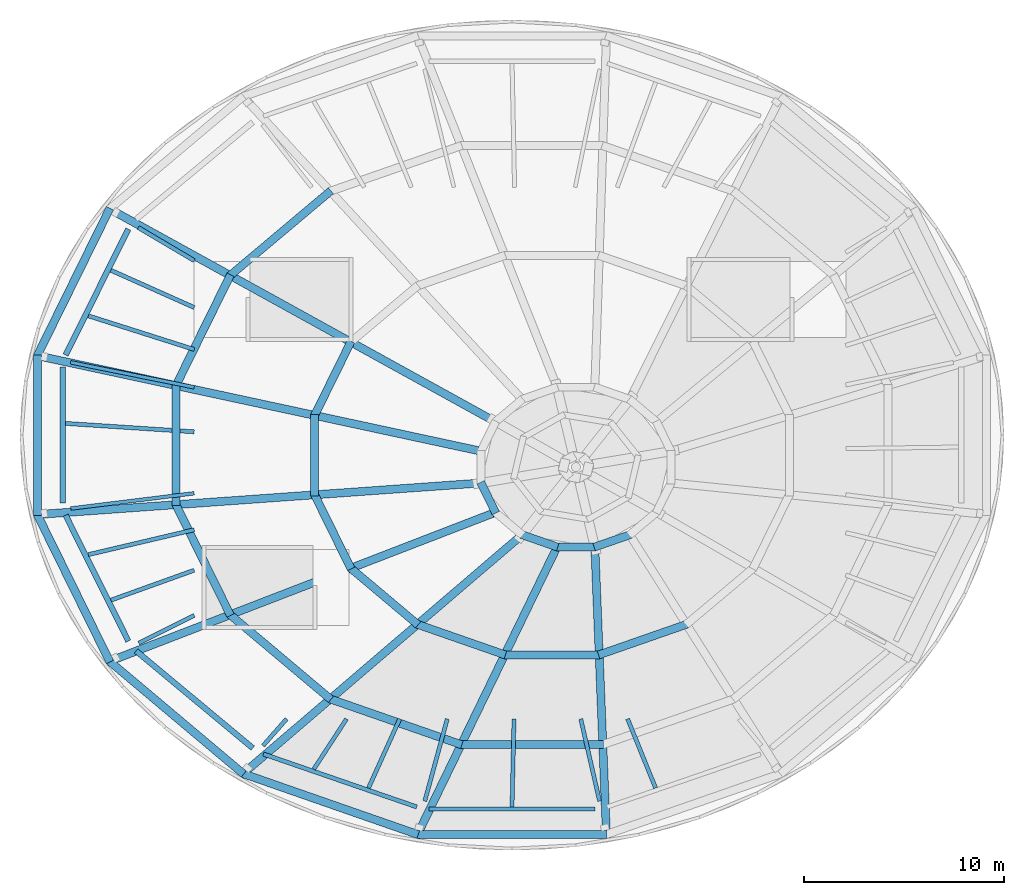
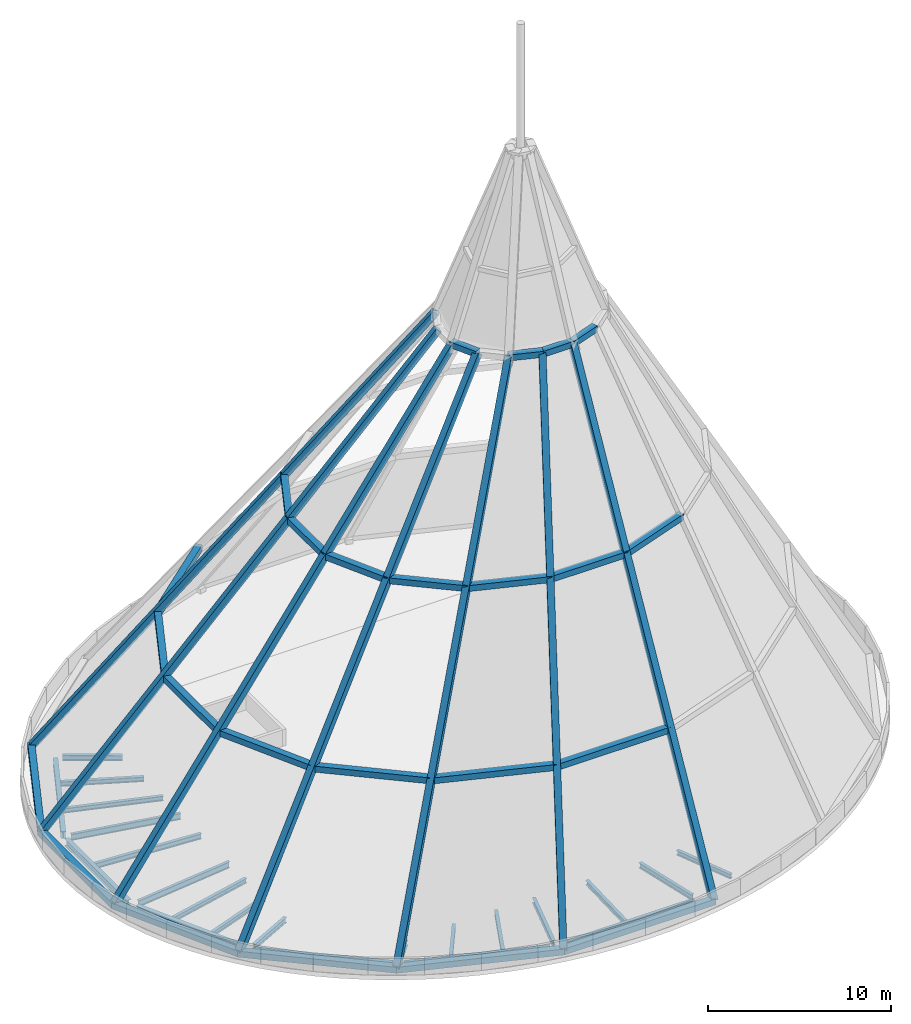
# One storey, part 1 of 7: 31 members, 22 beams, 8 elements without a shape of their own.
"""IFC4 building model written with IfcOpenShell, lengths in metres."""

from ifc_helpers import new_model, si_unit, direction, frame, origin, origin_2d, place, context, subcontext, project, spatial, rectangle, i_section, extrude, material, material_profile, profile_set, type_object, element, aggregate, save


model = new_model("IFC4")

# Units and contexts
model_context = context("Model", 3, precision=1e-05, world=origin(), true_north=direction((0.0, 1.0)))
body_context = subcontext(model_context, "Body", "Model", "MODEL_VIEW")
ifc_project = project(units=[si_unit("LENGTHUNIT", "METRE"), si_unit("AREAUNIT", "SQUARE_METRE"), si_unit("VOLUMEUNIT", "CUBIC_METRE"), si_unit("PLANEANGLEUNIT", "RADIAN"), si_unit("MASSUNIT", "GRAM", prefix="KILO")], contexts=[model_context])

# Site, building, storey
site_placement = place(None, origin())
site = spatial("IfcSite", under=ifc_project, at=site_placement, CompositionType="ELEMENT")
building_placement = place(site_placement, origin())
building = spatial("IfcBuilding", under=site, at=building_placement, Name="Marenthal Gate Tower", CompositionType="ELEMENT")
storey_placement = place(building_placement, frame((0.0, 0.0, 423.550048828125)))
storey = spatial("IfcBuildingStorey", under=building, at=storey_placement, Name="RF", CompositionType="ELEMENT", Elevation=423.550048828125)

# Curtain wall, member
ifc_material_1 = material(Name="Aluminium and glass", Category="aluminium")
curtain_wall_type = type_object("IfcCurtainWallType", Name="Curtain wall crown facet", PredefinedType="NOTDEFINED", material=ifc_material_1)
curtain_wall_1_placement = place(storey_placement, origin())
curtain_wall_1 = element("IfcCurtainWall", 1, at=curtain_wall_1_placement, inside=storey, type_object=curtain_wall_type, Name="Crown facet 7", PredefinedType="NOTDEFINED")
ifc_material_2 = material(Name="Steel S355", Category="steel")
ifc_material_profile_1 = material_profile(ifc_material_2, rectangle(XDim=0.39990234375, YDim=0.39990234375, at=origin_2d()), Name="Crown frame hip 400x400")
ifc_profile_set_1 = profile_set([ifc_material_profile_1], Name="Steel S355")
member_type_1 = type_object("IfcMemberType", Name="CROWN FRAME hip 400x400", PredefinedType="MULLION", material=ifc_profile_set_1)
member_1_placement = place(storey_placement, frame((-20.533935546875, 12.21630859375, 0.199951171875), z_axis=(0.534616626001, -0.294984907761, 0.791940002397), x_axis=(0.483107489159, 0.875561050937, 0.0)))
member_1 = element("IfcMember", 2, at=member_1_placement, type_object=member_type_1, Name="Crown frame hip 7", PredefinedType="MULLION", context=body_context, shape_type="SweptSolid", body=[
    extrude(rectangle(XDim=0.39990234375, YDim=0.39990234375, at=origin_2d()), origin(), (0.0, 0.0, 1.0), 36.114013671875),
])

curtain_wall_2_placement = place(storey_placement, origin())
curtain_wall_2 = element("IfcCurtainWall", 3, at=curtain_wall_2_placement, inside=storey, type_object=curtain_wall_type, Name="Crown facet 8", PredefinedType="NOTDEFINED")
member_2_placement = place(storey_placement, frame((-24.149658203125, 4.873779296875, 0.199951171875), z_axis=(0.607895952509, -0.130865097002, 0.783158245382), x_axis=(0.210454119873, 0.97760373538, 0.0)))
member_2 = element("IfcMember", 4, at=member_2_placement, type_object=member_type_1, Name="Crown frame hip 8", PredefinedType="MULLION", context=body_context, shape_type="SweptSolid", body=[
    extrude(rectangle(XDim=0.39990234375, YDim=0.39990234375, at=origin_2d()), origin(), (0.0, 0.0, 1.0), 36.51904296875),
])

curtain_wall_3_placement = place(storey_placement, origin())
curtain_wall_3 = element("IfcCurtainWall", 5, at=curtain_wall_3_placement, inside=storey, type_object=curtain_wall_type, Name="Crown facet 9", PredefinedType="NOTDEFINED")
member_3_placement = place(storey_placement, frame((-24.149658203125, -3.07373046875, 0.199951171875), z_axis=(0.612586878645, 0.043567572245, 0.789201610972), x_axis=(-0.070941452455, 0.997480481174, 0.0)))
member_3 = element("IfcMember", 6, at=member_3_placement, type_object=member_type_1, Name="Crown frame hip 9", PredefinedType="MULLION", context=body_context, shape_type="SweptSolid", body=[
    extrude(rectangle(XDim=0.39990234375, YDim=0.39990234375, at=origin_2d()), origin(), (0.0, 0.0, 1.0), 36.2392578125),
])

curtain_wall_4_placement = place(storey_placement, origin())
curtain_wall_4 = element("IfcCurtainWall", 7, at=curtain_wall_4_placement, inside=storey, type_object=curtain_wall_type, Name="Crown facet 10", PredefinedType="NOTDEFINED")
member_4_placement = place(storey_placement, frame((-20.533935546875, -10.41650390625, 0.199951171875), z_axis=(0.546902493503, 0.21112060041, 0.810139342757), x_axis=(-0.360128190178, 0.93290282808, 0.0)))
member_4 = element("IfcMember", 8, at=member_4_placement, type_object=member_type_1, Name="Crown frame hip 10", PredefinedType="MULLION", context=body_context, shape_type="SweptSolid", body=[
    extrude(rectangle(XDim=0.39990234375, YDim=0.39990234375, at=origin_2d()), origin(), (0.0, 0.0, 1.0), 35.302734375),
])

curtain_wall_5_placement = place(storey_placement, origin())
curtain_wall_5 = element("IfcCurtainWall", 9, at=curtain_wall_5_placement, inside=storey, type_object=curtain_wall_type, Name="Crown facet 11", PredefinedType="NOTDEFINED")
member_5_placement = place(storey_placement, frame((-13.85302734375, -16.0361328125, 0.199951171875), z_axis=(0.410713564463, 0.351487217792, 0.841291331047), x_axis=(-0.650201485152, 0.75976182367, 0.0)))
member_5 = element("IfcMember", 10, at=member_5_placement, type_object=member_type_1, Name="Crown frame hip 11", PredefinedType="MULLION", context=body_context, shape_type="SweptSolid", body=[
    extrude(rectangle(XDim=0.39990234375, YDim=0.39990234375, at=origin_2d()), origin(), (0.0, 0.0, 1.0), 33.995361328125),
])

curtain_wall_6_placement = place(storey_placement, origin())
curtain_wall_6 = element("IfcCurtainWall", 11, at=curtain_wall_6_placement, inside=storey, type_object=curtain_wall_type, Name="Crown facet 12", PredefinedType="NOTDEFINED")
member_6_placement = place(storey_placement, frame((-5.1240234375, -19.07763671875, 0.199951171875), z_axis=(0.213011779792, 0.438951654101, 0.872896000124), x_axis=(-0.899663808222, 0.43658336223, 0.0)))
member_6 = element("IfcMember", 12, at=member_6_placement, type_object=member_type_1, Name="Crown frame hip 12", PredefinedType="MULLION", context=body_context, shape_type="SweptSolid", body=[
    extrude(rectangle(XDim=0.39990234375, YDim=0.39990234375, at=origin_2d()), origin(), (0.0, 0.0, 1.0), 32.7646484375),
])

curtain_wall_7_placement = place(storey_placement, origin())
curtain_wall_7 = element("IfcCurtainWall", 13, at=curtain_wall_7_placement, inside=storey, type_object=curtain_wall_type, Name="Crown facet 13", PredefinedType="NOTDEFINED")
member_7_placement = place(storey_placement, frame((4.32421875, -19.07763671875, 0.199951171875), z_axis=(-0.018094435759, 0.449188839508, 0.893253591012), x_axis=(-0.999189647395, -0.040249826568, 0.0)))
member_7 = element("IfcMember", 14, at=member_7_placement, type_object=member_type_1, Name="Crown frame hip 13", PredefinedType="MULLION", context=body_context, shape_type="SweptSolid", body=[
    extrude(rectangle(XDim=0.39990234375, YDim=0.39990234375, at=origin_2d()), origin(), (0.0, 0.0, 1.0), 32.017822265625),
])

curtain_wall_8_placement = place(storey_placement, origin())
curtain_wall_8 = element("IfcCurtainWall", 15, at=curtain_wall_8_placement, inside=storey, type_object=curtain_wall_type, Name="Crown facet 6", PredefinedType="NOTDEFINED")
ifc_material_3 = material(Name="Steel S355", Category="steel")
ifc_material_profile_2 = material_profile(ifc_material_3, rectangle(XDim=0.39990234375, YDim=0.39990234375, at=origin_2d()), Name="Crown frame ring 400x400")
ifc_profile_set_2 = profile_set([ifc_material_profile_2], Name="Steel S355")
member_type_2 = type_object("IfcMemberType", Name="CROWN FRAME ring 400x400", PredefinedType="USERDEFINED", material=ifc_profile_set_2)
member_8_placement = place(storey_placement, frame((-9.461669921875, 13.125732421875, 9.0), z_axis=(-0.765280822969, -0.643696560497, 0.0), x_axis=(0.643696560497, -0.765280822969, 0.0)))
member_8 = element("IfcMember", 16, at=member_8_placement, type_object=member_type_2, Name="Crown frame ring 6.1", ObjectType="TRANSOM", PredefinedType="USERDEFINED", context=body_context, shape_type="SweptSolid", body=[
    extrude(rectangle(XDim=0.39990234375, YDim=0.39990234375, at=origin_2d()), origin(), (0.0, 0.0, 1.0), 6.62646484375),
])
aggregate(curtain_wall_8, [member_8])

# Member
member_9_placement = place(storey_placement, frame((-20.515380859375, 12.254150390625, 0.199951171875), z_axis=(-0.441763687273, -0.897131453359, 0.0), x_axis=(0.897131453359, -0.441763687273, 0.0)))
member_9 = element("IfcMember", 17, at=member_9_placement, type_object=member_type_2, Name="Crown frame base ring beam 7", ObjectType="TRANSOM", PredefinedType="USERDEFINED", context=body_context, shape_type="SweptSolid", body=[
    extrude(rectangle(XDim=0.39990234375, YDim=0.39990234375, at=origin_2d()), origin(), (0.0, 0.0, 1.0), 8.273193359375),
])

member_10_placement = place(storey_placement, frame((-14.48193359375, 8.925048828125, 9.0), z_axis=(-0.441779181949, -0.897123823336, 0.0), x_axis=(0.897123823336, -0.441779181949, 0.0)))
member_10 = element("IfcMember", 18, at=member_10_placement, type_object=member_type_2, Name="Crown frame ring 7.1", ObjectType="TRANSOM", PredefinedType="USERDEFINED", context=body_context, shape_type="SweptSolid", body=[
    extrude(rectangle(XDim=0.39990234375, YDim=0.39990234375, at=origin_2d()), origin(), (0.0, 0.0, 1.0), 6.22705078125),
])

member_11_placement = place(storey_placement, frame((-8.448486328125, 5.595947265625, 18.0), z_axis=(-0.441762844713, -0.897131868251, 0.0), x_axis=(0.897131868251, -0.441762844713, 0.0)))
member_11 = element("IfcMember", 19, at=member_11_placement, type_object=member_type_2, Name="Crown frame ring 7.2", ObjectType="TRANSOM", PredefinedType="USERDEFINED", context=body_context, shape_type="SweptSolid", body=[
    extrude(rectangle(XDim=0.39990234375, YDim=0.39990234375, at=origin_2d()), origin(), (0.0, 0.0, 1.0), 4.180908203125),
])

aggregate(curtain_wall_1, [member_1, member_9, member_10, member_11])

member_12_placement = place(storey_placement, frame((-24.149658203125, 4.92041015625, 0.199951171875), z_axis=(0.0, -1.0, 0.0), x_axis=(1.0, 0.0, 0.0)))
member_12 = element("IfcMember", 20, at=member_12_placement, type_object=member_type_2, Name="Crown frame base ring beam 8", ObjectType="TRANSOM", PredefinedType="USERDEFINED", context=body_context, shape_type="SweptSolid", body=[
    extrude(rectangle(XDim=0.39990234375, YDim=0.39990234375, at=origin_2d()), origin(), (0.0, 0.0, 1.0), 8.040771484375),
])

member_13_placement = place(storey_placement, frame((-17.212158203125, 3.427001953125, 9.0), z_axis=(0.0, -1.0, 0.0), x_axis=(1.0, 0.0, 0.0)))
member_13 = element("IfcMember", 21, at=member_13_placement, type_object=member_type_2, Name="Crown frame ring 8.1", ObjectType="TRANSOM", PredefinedType="USERDEFINED", context=body_context, shape_type="SweptSolid", body=[
    extrude(rectangle(XDim=0.39990234375, YDim=0.39990234375, at=origin_2d()), origin(), (0.0, 0.0, 1.0), 6.053955078125),
])

member_14_placement = place(storey_placement, frame((-10.27490234375, 1.93359375, 18.0), z_axis=(0.0, -1.0, 0.0), x_axis=(1.0, 0.0, 0.0)))
member_14 = element("IfcMember", 22, at=member_14_placement, type_object=member_type_2, Name="Crown frame ring 8.2", ObjectType="TRANSOM", PredefinedType="USERDEFINED", context=body_context, shape_type="SweptSolid", body=[
    extrude(rectangle(XDim=0.39990234375, YDim=0.39990234375, at=origin_2d()), origin(), (0.0, 0.0, 1.0), 4.067138671875),
])

aggregate(curtain_wall_2, [member_2, member_12, member_13, member_14])

member_15_placement = place(storey_placement, frame((-24.170166015625, -3.031982421875, 0.199951171875), z_axis=(0.441763687273, -0.897131453359, 0.0), x_axis=(0.897131453359, 0.441763687273, 0.0)))
member_15 = element("IfcMember", 23, at=member_15_placement, type_object=member_type_2, Name="Crown frame base ring beam 9", ObjectType="TRANSOM", PredefinedType="USERDEFINED", context=body_context, shape_type="SweptSolid", body=[
    extrude(rectangle(XDim=0.39990234375, YDim=0.39990234375, at=origin_2d()), origin(), (0.0, 0.0, 1.0), 8.273193359375),
])

member_16_placement = place(storey_placement, frame((-17.23291015625, -2.53857421875, 9.0), z_axis=(0.441779181949, -0.897123823336, 0.0), x_axis=(0.897123823336, 0.441779181949, 0.0)))
member_16 = element("IfcMember", 24, at=member_16_placement, type_object=member_type_2, Name="Crown frame ring 9.1", ObjectType="TRANSOM", PredefinedType="USERDEFINED", context=body_context, shape_type="SweptSolid", body=[
    extrude(rectangle(XDim=0.39990234375, YDim=0.39990234375, at=origin_2d()), origin(), (0.0, 0.0, 1.0), 6.22705078125),
])

member_17_placement = place(storey_placement, frame((-10.29541015625, -2.045166015625, 18.0), z_axis=(0.441762844713, -0.897131868251, 0.0), x_axis=(0.897131868251, 0.441762844713, 0.0)))
member_17 = element("IfcMember", 25, at=member_17_placement, type_object=member_type_2, Name="Crown frame ring 9.2", ObjectType="TRANSOM", PredefinedType="USERDEFINED", context=body_context, shape_type="SweptSolid", body=[
    extrude(rectangle(XDim=0.39990234375, YDim=0.39990234375, at=origin_2d()), origin(), (0.0, 0.0, 1.0), 4.180908203125),
])

member_18_placement = place(storey_placement, frame((-1.970458984375, -1.452880859375, 28.800048828125), z_axis=(0.441715561761, -0.897155149625, 0.0), x_axis=(0.897155149625, 0.441715561761, 0.0)))
member_18 = element("IfcMember", 26, at=member_18_placement, type_object=member_type_2, Name="Crown frame ring 9.3", ObjectType="TRANSOM", PredefinedType="USERDEFINED", context=body_context, shape_type="SweptSolid", body=[
    extrude(rectangle(XDim=0.39990234375, YDim=0.39990234375, at=origin_2d()), origin(), (0.0, 0.0, 1.0), 1.7255859375),
])

aggregate(curtain_wall_3, [member_3, member_15, member_16, member_17, member_18])

member_19_placement = place(storey_placement, frame((-20.566162109375, -10.389404296875, 0.199951171875), z_axis=(0.765268995459, -0.643710621778, 0.0), x_axis=(0.643710621778, 0.765268995459, 0.0)))
member_19 = element("IfcMember", 27, at=member_19_placement, type_object=member_type_2, Name="Crown frame base ring beam 10", ObjectType="TRANSOM", PredefinedType="USERDEFINED", context=body_context, shape_type="SweptSolid", body=[
    extrude(rectangle(XDim=0.39990234375, YDim=0.39990234375, at=origin_2d()), origin(), (0.0, 0.0, 1.0), 8.808837890625),
])

member_20_placement = place(storey_placement, frame((-14.53271484375, -8.060302734375, 9.0), z_axis=(0.765262673563, -0.643718137426, 0.0), x_axis=(0.643718137426, 0.765262673563, 0.0)))
member_20 = element("IfcMember", 28, at=member_20_placement, type_object=member_type_2, Name="Crown frame ring 10.1", ObjectType="TRANSOM", PredefinedType="USERDEFINED", context=body_context, shape_type="SweptSolid", body=[
    extrude(rectangle(XDim=0.39990234375, YDim=0.39990234375, at=origin_2d()), origin(), (0.0, 0.0, 1.0), 6.62646484375),
])

member_21_placement = place(storey_placement, frame((-8.4990234375, -5.731201171875, 18.0), z_axis=(0.765254440025, -0.643727925463, 0.0), x_axis=(0.643727925463, 0.765254440025, 0.0)))
member_21 = element("IfcMember", 29, at=member_21_placement, type_object=member_type_2, Name="Crown frame ring 10.2", ObjectType="TRANSOM", PredefinedType="USERDEFINED", context=body_context, shape_type="SweptSolid", body=[
    extrude(rectangle(XDim=0.39990234375, YDim=0.39990234375, at=origin_2d()), origin(), (0.0, 0.0, 1.0), 4.44384765625),
])

aggregate(curtain_wall_4, [member_4, member_19, member_20, member_21])

member_22_placement = place(storey_placement, frame((-13.887939453125, -16.024169921875, 0.199951171875), z_axis=(0.944329773093, -0.329000424999, 0.0), x_axis=(0.329000424999, 0.944329773093, 0.0)))
member_22 = element("IfcMember", 30, at=member_22_placement, type_object=member_type_2, Name="Crown frame base ring beam 11", ObjectType="TRANSOM", PredefinedType="USERDEFINED", context=body_context, shape_type="SweptSolid", body=[
    extrude(rectangle(XDim=0.39990234375, YDim=0.39990234375, at=origin_2d()), origin(), (0.0, 0.0, 1.0), 9.314453125),
])

member_23_placement = place(storey_placement, frame((-9.524658203125, -12.2900390625, 9.0), z_axis=(0.944326425407, -0.329010033703, 0.0), x_axis=(0.329010033703, 0.944326425407, 0.0)))
member_23 = element("IfcMember", 31, at=member_23_placement, type_object=member_type_2, Name="Crown frame ring 11.1", ObjectType="TRANSOM", PredefinedType="USERDEFINED", context=body_context, shape_type="SweptSolid", body=[
    extrude(rectangle(XDim=0.39990234375, YDim=0.39990234375, at=origin_2d()), origin(), (0.0, 0.0, 1.0), 7.00341796875),
])

member_24_placement = place(storey_placement, frame((-5.161376953125, -8.555908203125, 18.0), z_axis=(0.944325412198, -0.329012941807, 0.0), x_axis=(0.329012941807, 0.944325412198, 0.0)))
member_24 = element("IfcMember", 32, at=member_24_placement, type_object=member_type_2, Name="Crown frame ring 11.2", ObjectType="TRANSOM", PredefinedType="USERDEFINED", context=body_context, shape_type="SweptSolid", body=[
    extrude(rectangle(XDim=0.39990234375, YDim=0.39990234375, at=origin_2d()), origin(), (0.0, 0.0, 1.0), 4.692626953125),
])

member_25_placement = place(storey_placement, frame((0.07470703125, -4.0751953125, 28.800048828125), z_axis=(0.944349121113, -0.328944885129, 0.0), x_axis=(0.328944885129, 0.944349121113, 0.0)))
member_25 = element("IfcMember", 33, at=member_25_placement, type_object=member_type_2, Name="Crown frame ring 11.3", ObjectType="TRANSOM", PredefinedType="USERDEFINED", context=body_context, shape_type="SweptSolid", body=[
    extrude(rectangle(XDim=0.39990234375, YDim=0.39990234375, at=origin_2d()), origin(), (0.0, 0.0, 1.0), 1.919189453125),
])

aggregate(curtain_wall_5, [member_5, member_22, member_23, member_24, member_25])

member_26_placement = place(storey_placement, frame((-5.157958984375, -19.07763671875, 0.199951171875), z_axis=(1.0, 0.0, 0.0), x_axis=(0.0, 1.0, 0.0)))
member_26 = element("IfcMember", 34, at=member_26_placement, type_object=member_type_2, Name="Crown frame base ring beam 12", ObjectType="TRANSOM", PredefinedType="USERDEFINED", context=body_context, shape_type="SweptSolid", body=[
    extrude(rectangle(XDim=0.39990234375, YDim=0.39990234375, at=origin_2d()), origin(), (0.0, 0.0, 1.0), 9.515869140625),
])

member_27_placement = place(storey_placement, frame((-2.976806640625, -14.583251953125, 9.0), z_axis=(1.0, 0.0, 0.0), x_axis=(0.0, 1.0, 0.0)))
member_27 = element("IfcMember", 35, at=member_27_placement, type_object=member_type_2, Name="Crown frame ring 12.1", ObjectType="TRANSOM", PredefinedType="USERDEFINED", context=body_context, shape_type="SweptSolid", body=[
    extrude(rectangle(XDim=0.39990234375, YDim=0.39990234375, at=origin_2d()), origin(), (0.0, 0.0, 1.0), 7.15380859375),
])

member_28_placement = place(storey_placement, frame((-0.7958984375, -10.0888671875, 18.0), z_axis=(1.0, 0.0, 0.0), x_axis=(0.0, 1.0, 0.0)))
member_28 = element("IfcMember", 36, at=member_28_placement, type_object=member_type_2, Name="Crown frame ring 12.2", ObjectType="TRANSOM", PredefinedType="USERDEFINED", context=body_context, shape_type="SweptSolid", body=[
    extrude(rectangle(XDim=0.39990234375, YDim=0.39990234375, at=origin_2d()), origin(), (0.0, 0.0, 1.0), 4.791748046875),
])

member_29_placement = place(storey_placement, frame((1.8212890625, -4.695556640625, 28.800048828125), z_axis=(1.0, 0.0, 0.0), x_axis=(0.0, 1.0, 0.0)))
member_29 = element("IfcMember", 37, at=member_29_placement, type_object=member_type_2, Name="Crown frame ring 12.3", ObjectType="TRANSOM", PredefinedType="USERDEFINED", context=body_context, shape_type="SweptSolid", body=[
    extrude(rectangle(XDim=0.39990234375, YDim=0.39990234375, at=origin_2d()), origin(), (0.0, 0.0, 1.0), 1.957275390625),
])

aggregate(curtain_wall_6, [member_6, member_26, member_27, member_28, member_29])

member_30_placement = place(storey_placement, frame((3.93017578125, -10.099853515625, 18.0), z_axis=(0.944319779985, 0.329029106811, 0.0), x_axis=(-0.329029106811, 0.944319779985, 0.0)))
member_30 = element("IfcMember", 38, at=member_30_placement, type_object=member_type_2, Name="Crown frame ring 13.2", ObjectType="TRANSOM", PredefinedType="USERDEFINED", context=body_context, shape_type="SweptSolid", body=[
    extrude(rectangle(XDim=0.39990234375, YDim=0.39990234375, at=origin_2d()), origin(), (0.0, 0.0, 1.0), 4.6923828125),
])

member_31_placement = place(storey_placement, frame((3.712890625, -4.70654296875, 28.800048828125), z_axis=(0.944349121113, 0.328944885129, 0.0), x_axis=(-0.328944885129, 0.944349121113, 0.0)))
member_31 = element("IfcMember", 39, at=member_31_placement, type_object=member_type_2, Name="Crown frame ring 13.3", ObjectType="TRANSOM", PredefinedType="USERDEFINED", context=body_context, shape_type="SweptSolid", body=[
    extrude(rectangle(XDim=0.39990234375, YDim=0.39990234375, at=origin_2d()), origin(), (0.0, 0.0, 1.0), 1.919189453125),
])

aggregate(curtain_wall_7, [member_7, member_30, member_31])

# Beams
ifc_material_4 = material(Name="Steel S355", Category="steel")
ifc_material_profile_3 = material_profile(ifc_material_4, i_section(OverallWidth=0.205078125, OverallDepth=0.31005859375, WebThickness=0.009521484375, FlangeThickness=0.016357421875, FilletRadius=0.0126953125, at=origin_2d()), Name="W310X74")
ifc_profile_set_3 = profile_set([ifc_material_profile_3], Name="Steel S355")
beam_type_1 = type_object("IfcBeamType", Name="W310X74 beam", PredefinedType="BEAM", material=ifc_profile_set_3)
beam_1_placement = place(storey_placement, frame((-20.46630859375, 9.14599609375, -0.455078125), z_axis=(0.912984542978, -0.407994147363, 0.0), x_axis=(0.407994147363, 0.912984542978, 0.0)))
element("IfcBeam", 40, at=beam_1_placement, inside=storey, type_object=beam_type_1, Name="BM-RF-24", PredefinedType="BEAM", context=body_context, shape_type="SweptSolid", body=[
    extrude(i_section(OverallWidth=0.205078125, OverallDepth=0.31005859375, WebThickness=0.009521484375, FlangeThickness=0.016357421875, FilletRadius=0.0126953125, at=origin_2d()), origin(), (0.0, 0.0, 1.0), 4.563232421875),
])
beam_2_placement = place(storey_placement, frame((-21.599609375, 6.868896484375, -0.455078125), z_axis=(0.952973623439, -0.303053251145, 0.0), x_axis=(0.303053251145, 0.952973623439, 0.0)))
element("IfcBeam", 41, at=beam_2_placement, inside=storey, type_object=beam_type_1, Name="BM-RF-25", PredefinedType="BEAM", context=body_context, shape_type="SweptSolid", body=[
    extrude(i_section(OverallWidth=0.205078125, OverallDepth=0.31005859375, WebThickness=0.009521484375, FlangeThickness=0.016357421875, FilletRadius=0.0126953125, at=origin_2d()), origin(), (0.0, 0.0, 1.0), 5.56103515625),
])
beam_3_placement = place(storey_placement, frame((-21.5947265625, -5.07861328125, -0.455078125), z_axis=(0.97344541711, 0.228919243199, 0.0), x_axis=(-0.228919243199, 0.97344541711, 0.0)))
element("IfcBeam", 42, at=beam_3_placement, inside=storey, type_object=beam_type_1, Name="BM-RF-27", PredefinedType="BEAM", context=body_context, shape_type="SweptSolid", body=[
    extrude(i_section(OverallWidth=0.205078125, OverallDepth=0.31005859375, WebThickness=0.009521484375, FlangeThickness=0.016357421875, FilletRadius=0.0126953125, at=origin_2d()), origin(), (0.0, 0.0, 1.0), 5.439208984375),
])
beam_4_placement = place(storey_placement, frame((-20.46142578125, -7.35546875, -0.455078125), z_axis=(0.941031604102, 0.338318666468, 0.0), x_axis=(-0.338318666468, 0.941031604102, 0.0)))
element("IfcBeam", 43, at=beam_4_placement, inside=storey, type_object=beam_type_1, Name="BM-RF-28", PredefinedType="BEAM", context=body_context, shape_type="SweptSolid", body=[
    extrude(i_section(OverallWidth=0.205078125, OverallDepth=0.31005859375, WebThickness=0.009521484375, FlangeThickness=0.016357421875, FilletRadius=0.0126953125, at=origin_2d()), origin(), (0.0, 0.0, 1.0), 4.422119140625),
])
beam_5_placement = place(storey_placement, frame((-10.317626953125, -15.812744140625, -0.455078125), z_axis=(0.546486189649, 0.837468115526, 0.0), x_axis=(-0.837468115526, 0.546486189649, 0.0)))
element("IfcBeam", 44, at=beam_5_placement, inside=storey, type_object=beam_type_1, Name="BM-RF-29", PredefinedType="BEAM", context=body_context, shape_type="SweptSolid", body=[
    extrude(i_section(OverallWidth=0.205078125, OverallDepth=0.31005859375, WebThickness=0.009521484375, FlangeThickness=0.016357421875, FilletRadius=0.0126953125, at=origin_2d()), origin(), (0.0, 0.0, 1.0), 3.000244140625),
])
beam_6_placement = place(storey_placement, frame((-7.580078125, -16.756591796875, -0.455078125), z_axis=(0.412124623334, 0.911127485504, 0.0), x_axis=(-0.911127485504, 0.412124623334, 0.0)))
element("IfcBeam", 45, at=beam_6_placement, inside=storey, type_object=beam_type_1, Name="BM-RF-30", PredefinedType="BEAM", context=body_context, shape_type="SweptSolid", body=[
    extrude(i_section(OverallWidth=0.205078125, OverallDepth=0.31005859375, WebThickness=0.009521484375, FlangeThickness=0.016357421875, FilletRadius=0.0126953125, at=origin_2d()), origin(), (0.0, 0.0, 1.0), 3.793701171875),
])
beam_7_placement = place(storey_placement, frame((-0.397705078125, -17.696533203125, -0.455078125), z_axis=(0.022484318874, 0.999747195747, 0.0), x_axis=(-0.999747195747, 0.022484318874, 0.0)))
element("IfcBeam", 46, at=beam_7_placement, inside=storey, type_object=beam_type_1, Name="BM-RF-31", PredefinedType="BEAM", context=body_context, shape_type="SweptSolid", body=[
    extrude(i_section(OverallWidth=0.205078125, OverallDepth=0.31005859375, WebThickness=0.009521484375, FlangeThickness=0.016357421875, FilletRadius=0.0126953125, at=origin_2d()), origin(), (0.0, 0.0, 1.0), 4.397705078125),
])
beam_8_placement = place(storey_placement, frame((6.7841796875, -16.755126953125, -0.455078125), z_axis=(-0.37529458919, 0.926905589218, 0.0), x_axis=(-0.926905589218, -0.37529458919, 0.0)))
element("IfcBeam", 47, at=beam_8_placement, inside=storey, type_object=beam_type_1, Name="BM-RF-32", PredefinedType="BEAM", context=body_context, shape_type="SweptSolid", body=[
    extrude(i_section(OverallWidth=0.205078125, OverallDepth=0.31005859375, WebThickness=0.009521484375, FlangeThickness=0.016357421875, FilletRadius=0.0126953125, at=origin_2d()), origin(), (0.0, 0.0, 1.0), 3.7275390625),
])
ifc_material_5 = material(Name="Steel S355", Category="steel")
ifc_material_profile_4 = material_profile(ifc_material_5, i_section(OverallWidth=0.205078125, OverallDepth=0.35302734375, WebThickness=0.009521484375, FlangeThickness=0.016845703125, FilletRadius=0.014892578125, at=origin_2d()), Name="W360X79")
ifc_profile_set_4 = profile_set([ifc_material_profile_4], Name="Steel S355")
beam_type_2 = type_object("IfcBeamType", Name="W360X79 beam", PredefinedType="BEAM", material=ifc_profile_set_4)
beam_9_placement = place(storey_placement, frame((-19.100830078125, 11.285888671875, -0.4765625), z_axis=(0.860956408215, -0.50867874258, 0.0), x_axis=(0.50867874258, 0.860956408215, 0.0)))
element("IfcBeam", 48, at=beam_9_placement, inside=storey, type_object=beam_type_2, Name="BM-RF-07", PredefinedType="BEAM", context=body_context, shape_type="SweptSolid", body=[
    extrude(i_section(OverallWidth=0.205078125, OverallDepth=0.35302734375, WebThickness=0.009521484375, FlangeThickness=0.016845703125, FilletRadius=0.014892578125, at=origin_2d()), origin(), (0.0, 0.0, 1.0), 3.253173828125),
])
beam_10_placement = place(storey_placement, frame((-19.076171875, -9.50634765625, -0.4765625), z_axis=(0.895008884768, 0.446048311493, 0.0), x_axis=(-0.446048311493, 0.895008884768, 0.0)))
element("IfcBeam", 49, at=beam_10_placement, inside=storey, type_object=beam_type_2, Name="BM-RF-10", PredefinedType="BEAM", context=body_context, shape_type="SweptSolid", body=[
    extrude(i_section(OverallWidth=0.205078125, OverallDepth=0.35302734375, WebThickness=0.009521484375, FlangeThickness=0.016845703125, FilletRadius=0.014892578125, at=origin_2d()), origin(), (0.0, 0.0, 1.0), 3.101806640625),
])
beam_11_placement = place(storey_placement, frame((-12.853271484375, -14.638916015625, -0.4765625), z_axis=(0.659861555011, 0.751387202592, 0.0), x_axis=(-0.751387202592, 0.659861555011, 0.0)))
element("IfcBeam", 50, at=beam_11_placement, inside=storey, type_object=beam_type_2, Name="BM-RF-11", PredefinedType="BEAM", context=body_context, shape_type="SweptSolid", body=[
    extrude(i_section(OverallWidth=0.205078125, OverallDepth=0.35302734375, WebThickness=0.009521484375, FlangeThickness=0.016845703125, FilletRadius=0.014892578125, at=origin_2d()), origin(), (0.0, 0.0, 1.0), 1.781982421875),
])
beam_12_placement = place(storey_placement, frame((-4.763671875, -17.412109375, -0.4765625), z_axis=(0.263887787534, 0.964553386594, 0.0), x_axis=(-0.964553386594, 0.263887787534, 0.0)))
element("IfcBeam", 51, at=beam_12_placement, inside=storey, type_object=beam_type_2, Name="BM-RF-12", PredefinedType="BEAM", context=body_context, shape_type="SweptSolid", body=[
    extrude(i_section(OverallWidth=0.205078125, OverallDepth=0.35302734375, WebThickness=0.009521484375, FlangeThickness=0.016845703125, FilletRadius=0.014892578125, at=origin_2d()), origin(), (0.0, 0.0, 1.0), 4.26318359375),
])
beam_13_placement = place(storey_placement, frame((3.98095703125, -17.410888671875, -0.4765625), z_axis=(-0.222897113938, 0.974841975193, 0.0), x_axis=(-0.974841975193, -0.222897113938, 0.0)))
element("IfcBeam", 52, at=beam_13_placement, inside=storey, type_object=beam_type_2, Name="BM-RF-13", PredefinedType="BEAM", context=body_context, shape_type="SweptSolid", body=[
    extrude(i_section(OverallWidth=0.205078125, OverallDepth=0.35302734375, WebThickness=0.009521484375, FlangeThickness=0.016845703125, FilletRadius=0.014892578125, at=origin_2d()), origin(), (0.0, 0.0, 1.0), 4.217041015625),
])
beam_14_placement = place(storey_placement, frame((-22.735107421875, 1.486083984375, -0.4765625), z_axis=(0.997870260311, -0.065229928618, 0.0), x_axis=(0.065229928618, 0.997870260311, 0.0)))
element("IfcBeam", 53, at=beam_14_placement, inside=storey, type_object=beam_type_2, Name="BM-RF-26", PredefinedType="BEAM", context=body_context, shape_type="SweptSolid", body=[
    extrude(i_section(OverallWidth=0.205078125, OverallDepth=0.35302734375, WebThickness=0.009521484375, FlangeThickness=0.016845703125, FilletRadius=0.014892578125, at=origin_2d()), origin(), (0.0, 0.0, 1.0), 6.44873046875),
])
ifc_material_6 = material(Name="Steel S355", Category="steel")
ifc_material_profile_5 = material_profile(ifc_material_6, i_section(OverallWidth=0.180908203125, OverallDepth=0.4169921875, WebThickness=0.010986328125, FlangeThickness=0.018310546875, FilletRadius=0.01025390625, at=origin_2d()), Name="W410X85")
ifc_profile_set_5 = profile_set([ifc_material_profile_5], Name="Steel S355")
beam_type_3 = type_object("IfcBeamType", Name="W410X85 beam", PredefinedType="BEAM", material=ifc_profile_set_5)
beam_15_placement = place(storey_placement, frame((-22.482177734375, 4.541015625, -0.508544921875), z_axis=(0.98020219373, -0.197999139915, 0.0), x_axis=(0.197999139915, 0.98020219373, 0.0)))
element("IfcBeam", 54, at=beam_15_placement, inside=storey, type_object=beam_type_3, Name="BM-RF-08", PredefinedType="BEAM", context=body_context, shape_type="SweptSolid", body=[
    extrude(i_section(OverallWidth=0.180908203125, OverallDepth=0.4169921875, WebThickness=0.010986328125, FlangeThickness=0.018310546875, FilletRadius=0.01025390625, at=origin_2d()), origin(), (0.0, 0.0, 1.0), 6.306884765625),
])
beam_16_placement = place(storey_placement, frame((-22.471923828125, -2.7705078125, -0.508544921875), z_axis=(0.99248425873, 0.12237236687, 0.0), x_axis=(-0.12237236687, 0.99248425873, 0.0)))
element("IfcBeam", 55, at=beam_16_placement, inside=storey, type_object=beam_type_3, Name="BM-RF-09", PredefinedType="BEAM", context=body_context, shape_type="SweptSolid", body=[
    extrude(i_section(OverallWidth=0.180908203125, OverallDepth=0.4169921875, WebThickness=0.010986328125, FlangeThickness=0.018310546875, FilletRadius=0.01025390625, at=origin_2d()), origin(), (0.0, 0.0, 1.0), 6.218505859375),
])
ifc_material_7 = material(Name="Steel S355", Category="steel")
ifc_material_profile_6 = material_profile(ifc_material_7, i_section(OverallWidth=0.279052734375, OverallDepth=0.4619140625, WebThickness=0.0107421875, FlangeThickness=0.017333984375, FilletRadius=0.010009765625, at=origin_2d()), Name="W460X113")
ifc_profile_set_6 = profile_set([ifc_material_profile_6], Name="Steel S355")
beam_type_4 = type_object("IfcBeamType", Name="W460X113 beam", PredefinedType="BEAM", material=ifc_profile_set_6)
beam_17_placement = place(storey_placement, frame((-19.59521484375, 11.208740234375, -0.531005859375), z_axis=(-0.44561730548, -0.895223557027, 0.0), x_axis=(0.895223557027, -0.44561730548, 0.0)))
element("IfcBeam", 56, at=beam_17_placement, inside=storey, type_object=beam_type_4, Name="BM-RF-42", PredefinedType="BEAM", context=body_context, shape_type="SweptSolid", body=[
    extrude(i_section(OverallWidth=0.279052734375, OverallDepth=0.4619140625, WebThickness=0.0107421875, FlangeThickness=0.017333984375, FilletRadius=0.010009765625, at=origin_2d()), origin(), (0.0, 0.0, 1.0), 7.03857421875),
])
beam_18_placement = place(storey_placement, frame((-22.874755859375, 4.297607421875, -0.531005859375), z_axis=(0.0, -1.0, 0.0), x_axis=(1.0, 0.0, 0.0)))
element("IfcBeam", 57, at=beam_18_placement, inside=storey, type_object=beam_type_4, Name="BM-RF-43", PredefinedType="BEAM", context=body_context, shape_type="SweptSolid", body=[
    extrude(i_section(OverallWidth=0.279052734375, OverallDepth=0.4619140625, WebThickness=0.0107421875, FlangeThickness=0.017333984375, FilletRadius=0.010009765625, at=origin_2d()), origin(), (0.0, 0.0, 1.0), 6.79541015625),
])
beam_19_placement = place(storey_placement, frame((-22.731689453125, -3.107666015625, -0.531005859375), z_axis=(0.44561730548, -0.895223557027, 0.0), x_axis=(0.895223557027, 0.44561730548, 0.0)))
element("IfcBeam", 58, at=beam_19_placement, inside=storey, type_object=beam_type_4, Name="BM-RF-44", PredefinedType="BEAM", context=body_context, shape_type="SweptSolid", body=[
    extrude(i_section(OverallWidth=0.279052734375, OverallDepth=0.4619140625, WebThickness=0.0107421875, FlangeThickness=0.017333984375, FilletRadius=0.010009765625, at=origin_2d()), origin(), (0.0, 0.0, 1.0), 7.03857421875),
])
beam_20_placement = place(storey_placement, frame((-19.2099609375, -9.896484375, -0.531005859375), z_axis=(0.768661139808, -0.639656198398, 0.0), x_axis=(0.639656198398, 0.768661139808, 0.0)))
element("IfcBeam", 59, at=beam_20_placement, inside=storey, type_object=beam_type_4, Name="BM-RF-45", PredefinedType="BEAM", context=body_context, shape_type="SweptSolid", body=[
    extrude(i_section(OverallWidth=0.279052734375, OverallDepth=0.4619140625, WebThickness=0.0107421875, FlangeThickness=0.017333984375, FilletRadius=0.010009765625, at=origin_2d()), origin(), (0.0, 0.0, 1.0), 7.594482421875),
])
ifc_material_8 = material(Name="Steel S355", Category="steel")
ifc_material_profile_7 = material_profile(ifc_material_8, i_section(OverallWidth=0.2119140625, OverallDepth=0.5439453125, WebThickness=0.01318359375, FlangeThickness=0.021240234375, FilletRadius=0.0126953125, at=origin_2d()), Name="W530X123")
ifc_profile_set_7 = profile_set([ifc_material_profile_7], Name="Steel S355")
beam_type_5 = type_object("IfcBeamType", Name="W530X123 beam", PredefinedType="BEAM", material=ifc_profile_set_7)
beam_21_placement = place(storey_placement, frame((-12.83544921875, -15.05712890625, -0.572021484375), z_axis=(0.945411347575, -0.325879400816, 0.0), x_axis=(0.325879400816, 0.945411347575, 0.0)))
element("IfcBeam", 60, at=beam_21_placement, inside=storey, type_object=beam_type_5, Name="BM-RF-46", PredefinedType="BEAM", context=body_context, shape_type="SweptSolid", body=[
    extrude(i_section(OverallWidth=0.2119140625, OverallDepth=0.5439453125, WebThickness=0.01318359375, FlangeThickness=0.021240234375, FilletRadius=0.0126953125, at=origin_2d()), origin(), (0.0, 0.0, 1.0), 8.113525390625),
])
beam_22_placement = place(storey_placement, frame((-4.5595703125, -17.802490234375, -0.572021484375), z_axis=(1.0, 0.0, 0.0), x_axis=(0.0, 1.0, 0.0)))
element("IfcBeam", 61, at=beam_22_placement, inside=storey, type_object=beam_type_5, Name="BM-RF-47", PredefinedType="BEAM", context=body_context, shape_type="SweptSolid", body=[
    extrude(i_section(OverallWidth=0.2119140625, OverallDepth=0.5439453125, WebThickness=0.01318359375, FlangeThickness=0.021240234375, FilletRadius=0.0126953125, at=origin_2d()), origin(), (0.0, 0.0, 1.0), 8.319091796875),
])

save(model, "model.ifc")
